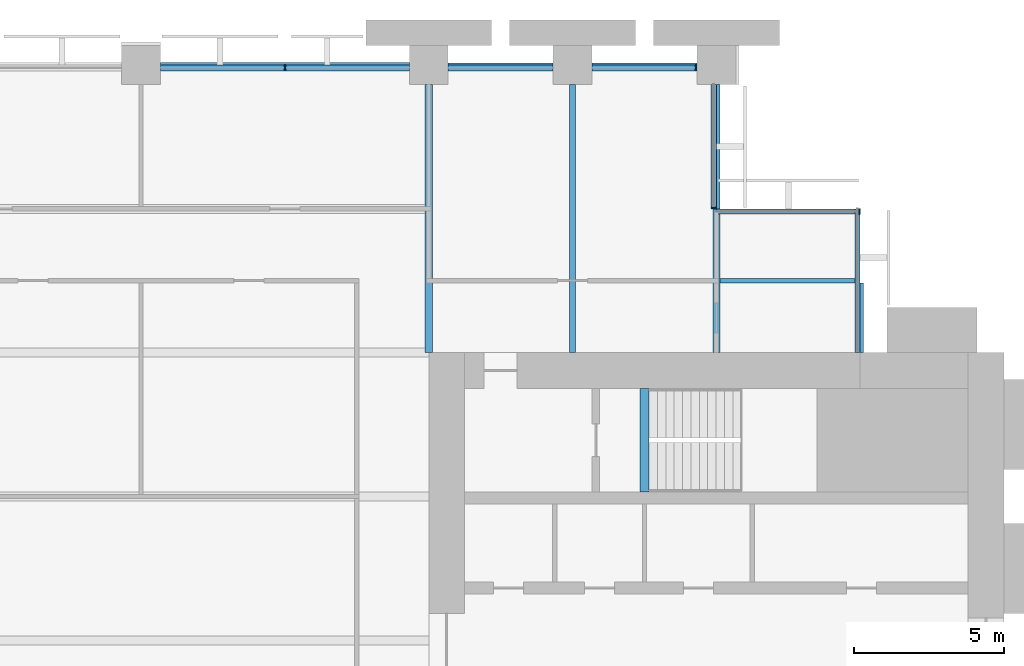
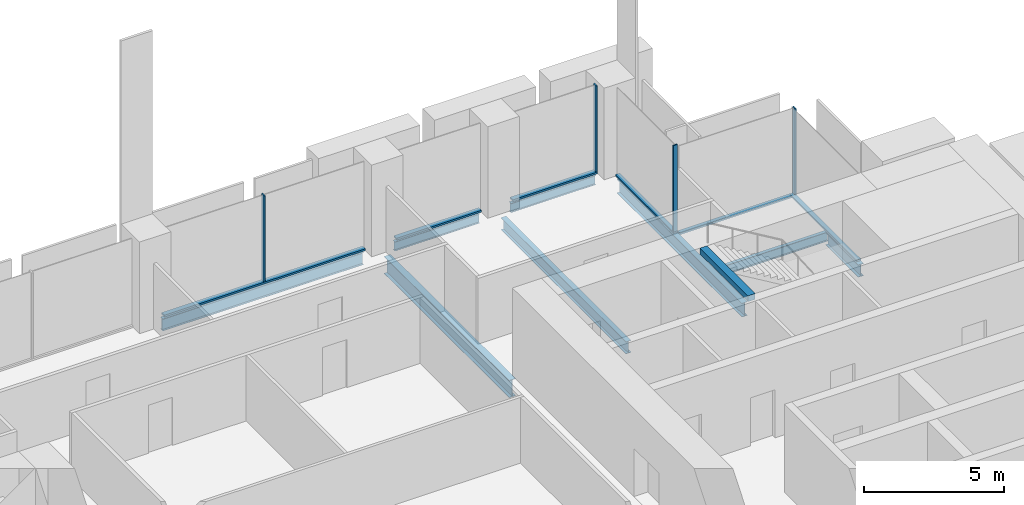
# One storey, part 7 of 14: 10 members, 9 beams, 4 elements without a shape of their own.
"""IFC4 building model written with IfcOpenShell, lengths in metres."""

from ifc_helpers import new_model, si_unit, direction, frame, origin, origin_2d, place, context, subcontext, project, spatial, rectangle, i_section, extrude, material, material_profile, profile_set, type_object, element, aggregate, save


model = new_model("IFC4")

# Units and contexts
model_context = context("Model", 3, precision=1e-05, world=origin(), true_north=direction((0.0, 1.0)))
body_context = subcontext(model_context, "Body", "Model", "MODEL_VIEW")
ifc_project = project(units=[si_unit("LENGTHUNIT", "METRE"), si_unit("AREAUNIT", "SQUARE_METRE"), si_unit("VOLUMEUNIT", "CUBIC_METRE"), si_unit("PLANEANGLEUNIT", "RADIAN"), si_unit("MASSUNIT", "GRAM", prefix="KILO")], contexts=[model_context])

# Site, building, storey
site_placement = place(None, origin())
site = spatial("IfcSite", under=ifc_project, at=site_placement, CompositionType="ELEMENT")
building_placement = place(site_placement, origin())
building = spatial("IfcBuilding", under=site, at=building_placement, Name="Baori Bourse Tower", CompositionType="ELEMENT")
storey_placement = place(building_placement, frame((0.0, 0.0, 51.0)))
storey = spatial("IfcBuildingStorey", under=building, at=storey_placement, Name="L10", CompositionType="ELEMENT", Elevation=51.0)

# Curtain wall, members
ifc_material_1 = material(Name="Pale anodised aluminium", Category="aluminium")
curtain_wall_type_1 = type_object("IfcCurtainWallType", Name="CW1 Curtain wall", PredefinedType="NOTDEFINED", material=ifc_material_1)
curtain_wall_1_placement = place(storey_placement, origin())
curtain_wall_1 = element("IfcCurtainWall", 1, at=curtain_wall_1_placement, inside=storey, type_object=curtain_wall_type_1, Name="Curtain wall CW1 L10 4", PredefinedType="NOTDEFINED")
ifc_material_2 = material(Name="Pale anodised aluminium", Category="aluminium")
ifc_material_profile_1 = material_profile(ifc_material_2, rectangle(XDim=0.199951171875, YDim=0.06005859375, at=origin_2d()), Name="Mullion 60x200")
ifc_profile_set_1 = profile_set([ifc_material_profile_1], Name="Pale anodised aluminium")
member_type_1 = type_object("IfcMemberType", Name="CW1 Curtain wall mullion", PredefinedType="MULLION", material=ifc_profile_set_1)
member_1_placement = place(storey_placement, frame((47.320068359375, 47.89990234375, 0.080078125), z_axis=(0.0, 0.0, 1.0), x_axis=(0.0, -1.0, 0.0)))
member_1 = element("IfcMember", 2, at=member_1_placement, type_object=member_type_1, Name="Curtain wall CW1 mullion", PredefinedType="MULLION", context=body_context, shape_type="SweptSolid", body=[
    extrude(rectangle(XDim=0.199951171875, YDim=0.06005859375, at=origin_2d()), origin(), (0.0, 0.0, 1.0), 3.760009765625),
])
member_2_placement = place(storey_placement, frame((33.60009765625, 47.89990234375, 0.080078125), z_axis=(0.0, 0.0, 1.0), x_axis=(0.0, -1.0, 0.0)))
member_2 = element("IfcMember", 3, at=member_2_placement, type_object=member_type_1, Name="Curtain wall CW1 mullion", PredefinedType="MULLION", context=body_context, shape_type="SweptSolid", body=[
    extrude(rectangle(XDim=0.199951171875, YDim=0.06005859375, at=origin_2d()), origin(), (0.0, 0.0, 1.0), 3.760009765625),
])
ifc_material_3 = material(Name="Pale anodised aluminium", Category="aluminium")
ifc_material_profile_2 = material_profile(ifc_material_3, rectangle(XDim=0.199951171875, YDim=0.080078125, at=origin_2d()), Name="Transom 80x200")
ifc_profile_set_2 = profile_set([ifc_material_profile_2], Name="Pale anodised aluminium")
member_type_2 = type_object("IfcMemberType", Name="CW1 Curtain wall transom", PredefinedType="USERDEFINED", material=ifc_profile_set_2)
member_3_placement = place(storey_placement, frame((47.35009765625, 47.89990234375, 0.0400390625), z_axis=(-1.0, 0.0, 0.0), x_axis=(0.0, -1.0, 0.0)))
member_3 = element("IfcMember", 4, at=member_3_placement, type_object=member_type_2, Name="Curtain wall CW1 sill rail", ObjectType="TRANSOM", PredefinedType="USERDEFINED", context=body_context, shape_type="SweptSolid", body=[
    extrude(rectangle(XDim=0.199951171875, YDim=0.080078125, at=origin_2d()), origin(), (0.0, 0.0, 1.0), 3.5),
])
member_4_placement = place(storey_placement, frame((42.550048828125, 47.89990234375, 0.0400390625), z_axis=(-1.0, 0.0, 0.0), x_axis=(0.0, -1.0, 0.0)))
member_4 = element("IfcMember", 5, at=member_4_placement, type_object=member_type_2, Name="Curtain wall CW1 sill rail", ObjectType="TRANSOM", PredefinedType="USERDEFINED", context=body_context, shape_type="SweptSolid", body=[
    extrude(rectangle(XDim=0.199951171875, YDim=0.080078125, at=origin_2d()), origin(), (0.0, 0.0, 1.0), 3.5),
])
member_5_placement = place(storey_placement, frame((37.75, 47.89990234375, 0.0400390625), z_axis=(-1.0, 0.0, 0.0), x_axis=(0.0, -1.0, 0.0)))
member_5 = element("IfcMember", 6, at=member_5_placement, type_object=member_type_2, Name="Curtain wall CW1 sill rail", ObjectType="TRANSOM", PredefinedType="USERDEFINED", context=body_context, shape_type="SweptSolid", body=[
    extrude(rectangle(XDim=0.199951171875, YDim=0.080078125, at=origin_2d()), origin(), (0.0, 0.0, 1.0), 8.300048828125),
])
aggregate(curtain_wall_1, [member_3, member_1, member_4, member_5, member_2])

# Curtain wall, member
ifc_material_4 = material(Name="Pale anodised aluminium", Category="aluminium")
curtain_wall_type_2 = type_object("IfcCurtainWallType", Name="CW2 Curtain wall", PredefinedType="NOTDEFINED", material=ifc_material_4)
curtain_wall_2_placement = place(storey_placement, origin())
curtain_wall_2 = element("IfcCurtainWall", 7, at=curtain_wall_2_placement, inside=storey, type_object=curtain_wall_type_2, Name="Curtain wall CW2 L10 2", PredefinedType="NOTDEFINED")
ifc_material_5 = material(Name="Pale anodised aluminium", Category="aluminium")
ifc_material_profile_3 = material_profile(ifc_material_5, rectangle(XDim=0.179931640625, YDim=0.054931640625, at=origin_2d()), Name="Mullion 55x180")
ifc_profile_set_3 = profile_set([ifc_material_profile_3], Name="Pale anodised aluminium")
member_type_3 = type_object("IfcMemberType", Name="CW2 Curtain wall mullion", PredefinedType="MULLION", material=ifc_profile_set_3)
member_6_placement = place(storey_placement, frame((52.7724609375, 43.110107421875, 0.070068359375), z_axis=(0.0, 0.0, 1.0), x_axis=(0.0, -1.0, 0.0)))
member_6 = element("IfcMember", 8, at=member_6_placement, type_object=member_type_3, Name="Curtain wall CW2 mullion", PredefinedType="MULLION", context=body_context, shape_type="SweptSolid", body=[
    extrude(rectangle(XDim=0.179931640625, YDim=0.054931640625, at=origin_2d()), origin(), (0.0, 0.0, 1.0), 3.77001953125),
])

curtain_wall_3_placement = place(storey_placement, origin())
curtain_wall_3 = element("IfcCurtainWall", 9, at=curtain_wall_3_placement, inside=storey, type_object=curtain_wall_type_2, Name="Curtain wall CW2 L10 3", PredefinedType="NOTDEFINED")
member_7_placement = place(storey_placement, frame((47.909912109375, 43.2275390625, 0.070068359375), z_axis=(0.0, 0.0, 1.0), x_axis=(-1.0, 0.0, 0.0)))
member_7 = element("IfcMember", 10, at=member_7_placement, type_object=member_type_3, Name="Curtain wall CW2 mullion", PredefinedType="MULLION", context=body_context, shape_type="SweptSolid", body=[
    extrude(rectangle(XDim=0.179931640625, YDim=0.054931640625, at=origin_2d()), origin(), (0.0, 0.0, 1.0), 3.77001953125),
])

curtain_wall_4_placement = place(storey_placement, origin())
curtain_wall_4 = element("IfcCurtainWall", 11, at=curtain_wall_4_placement, inside=storey, type_object=curtain_wall_type_2, Name="Curtain wall CW2 L10 1", PredefinedType="NOTDEFINED")
ifc_material_6 = material(Name="Pale anodised aluminium", Category="aluminium")
ifc_material_profile_4 = material_profile(ifc_material_6, rectangle(XDim=0.179931640625, YDim=0.070068359375, at=origin_2d()), Name="Transom 70x180")
ifc_profile_set_4 = profile_set([ifc_material_profile_4], Name="Pale anodised aluminium")
member_type_4 = type_object("IfcMemberType", Name="CW2 Curtain wall transom", PredefinedType="USERDEFINED", material=ifc_profile_set_4)
member_8_placement = place(storey_placement, frame((52.7099609375, 38.39990234375, 0.034912109375), z_axis=(0.0, 1.0, 0.0), x_axis=(-1.0, 0.0, 0.0)))
member_8 = element("IfcMember", 12, at=member_8_placement, type_object=member_type_4, Name="Curtain wall CW2 sill rail", ObjectType="TRANSOM", PredefinedType="USERDEFINED", context=body_context, shape_type="SweptSolid", body=[
    extrude(rectangle(XDim=0.179931640625, YDim=0.070068359375, at=origin_2d()), origin(), (0.0, 0.0, 1.0), 4.800048828125),
])
aggregate(curtain_wall_4, [member_8])

# Member
member_9_placement = place(storey_placement, frame((52.800048828125, 43.110107421875, 0.034912109375), z_axis=(-1.0, 0.0, 0.0), x_axis=(0.0, -1.0, 0.0)))
member_9 = element("IfcMember", 13, at=member_9_placement, type_object=member_type_4, Name="Curtain wall CW2 sill rail", ObjectType="TRANSOM", PredefinedType="USERDEFINED", context=body_context, shape_type="SweptSolid", body=[
    extrude(rectangle(XDim=0.179931640625, YDim=0.070068359375, at=origin_2d()), origin(), (0.0, 0.0, 1.0), 4.800048828125),
])

aggregate(curtain_wall_2, [member_9, member_6])

member_10_placement = place(storey_placement, frame((47.909912109375, 43.199951171875, 0.034912109375), z_axis=(0.0, 1.0, 0.0), x_axis=(-1.0, 0.0, 0.0)))
member_10 = element("IfcMember", 14, at=member_10_placement, type_object=member_type_4, Name="Curtain wall CW2 sill rail", ObjectType="TRANSOM", PredefinedType="USERDEFINED", context=body_context, shape_type="SweptSolid", body=[
    extrude(rectangle(XDim=0.179931640625, YDim=0.070068359375, at=origin_2d()), origin(), (0.0, 0.0, 1.0), 4.150146484375),
])

aggregate(curtain_wall_3, [member_10, member_7])

# Beams
ifc_material_7 = material(Name="Steel A992 Gr 50", Category="steel")
ifc_material_profile_5 = material_profile(ifc_material_7, i_section(OverallWidth=0.21240234375, OverallDepth=0.54345703125, WebThickness=0.01318359375, FlangeThickness=0.021240234375, at=origin_2d()), Name="W21x83")
ifc_profile_set_5 = profile_set([ifc_material_profile_5], Name="Steel A992 Gr 50")
beam_type_1 = type_object("IfcBeamType", Name="Core bracket W21x83", PredefinedType="BEAM", material=ifc_profile_set_5)
beam_1_placement = place(storey_placement, frame((52.800048828125, 38.39990234375, -0.431884765625), z_axis=(0.0, 1.0, 0.0), x_axis=(-1.0, 0.0, 0.0)))
element("IfcBeam", 15, at=beam_1_placement, inside=storey, type_object=beam_type_1, Name="Core bracket L10", PredefinedType="BEAM", context=body_context, shape_type="SweptSolid", body=[
    extrude(i_section(OverallWidth=0.21240234375, OverallDepth=0.54345703125, WebThickness=0.01318359375, FlangeThickness=0.021240234375, at=origin_2d()), origin(), (0.0, 0.0, 1.0), 2.329833984375),
])
ifc_material_8 = material(Name="Steel A992 Gr 50", Category="steel")
ifc_material_profile_6 = material_profile(ifc_material_8, i_section(OverallWidth=0.140380859375, OverallDepth=0.40380859375, WebThickness=0.007080078125, FlangeThickness=0.01123046875, at=origin_2d()), Name="W16x31")
ifc_profile_set_6 = profile_set([ifc_material_profile_6], Name="Steel A992 Gr 50")
beam_type_2 = type_object("IfcBeamType", Name="Edge beam W16x31", PredefinedType="BEAM", material=ifc_profile_set_6)
for number, where, z_axis, x_axis, name in (
    (16, (39.050048828125, 48.0, -0.36181640625), (1.0, 0.0, 0.0), (0.0, 1.0, 0.0), "Edge beam L10"),
    (17, (43.85009765625, 48.0, -0.36181640625), (1.0, 0.0, 0.0), (0.0, 1.0, 0.0), "Edge beam L10"),
):
    element("IfcBeam", number, at=place(storey_placement, frame(where, z_axis=z_axis, x_axis=x_axis)), inside=storey, type_object=beam_type_2, Name=name, PredefinedType="BEAM", context=body_context, shape_type="SweptSolid", body=[
        extrude(i_section(OverallWidth=0.140380859375, OverallDepth=0.40380859375, WebThickness=0.007080078125, FlangeThickness=0.01123046875, at=origin_2d()), origin(), (0.0, 0.0, 1.0), 3.5),
    ])
ifc_material_9 = material(Name="Steel A992 Gr 50", Category="steel")
ifc_material_profile_7 = material_profile(ifc_material_9, i_section(OverallWidth=0.1650390625, OverallDepth=0.52587890625, WebThickness=0.0087890625, FlangeThickness=0.011474609375, at=origin_2d()), Name="W21x44")
ifc_profile_set_7 = profile_set([ifc_material_profile_7], Name="Steel A992 Gr 50")
beam_type_3 = type_object("IfcBeamType", Name="Edge beam W21x44", PredefinedType="BEAM", material=ifc_profile_set_7)
beam_2_placement = place(storey_placement, frame((29.449951171875, 48.0, -0.4228515625), z_axis=(1.0, 0.0, 0.0), x_axis=(0.0, 1.0, 0.0)))
element("IfcBeam", 18, at=beam_2_placement, inside=storey, type_object=beam_type_3, Name="Edge beam L10", PredefinedType="BEAM", context=body_context, shape_type="SweptSolid", body=[
    extrude(i_section(OverallWidth=0.1650390625, OverallDepth=0.52587890625, WebThickness=0.0087890625, FlangeThickness=0.011474609375, at=origin_2d()), origin(), (0.0, 0.0, 1.0), 8.300048828125),
])
ifc_material_10 = material(Name="Steel A992 Gr 50", Category="steel")
ifc_material_profile_8 = material_profile(ifc_material_10, i_section(OverallWidth=0.209228515625, OverallDepth=0.533447265625, WebThickness=0.01025390625, FlangeThickness=0.015625, at=origin_2d()), Name="W21x62")
ifc_profile_set_8 = profile_set([ifc_material_profile_8], Name="Steel A992 Gr 50")
beam_type_4 = type_object("IfcBeamType", Name="Floor beam W21x62", PredefinedType="BEAM", material=ifc_profile_set_8)
beam_3_placement = place(storey_placement, frame((43.199951171875, 38.39990234375, -0.4267578125), z_axis=(0.0, 1.0, 0.0), x_axis=(-1.0, 0.0, 0.0)))
element("IfcBeam", 19, at=beam_3_placement, inside=storey, type_object=beam_type_4, Name="Floor beam L10", PredefinedType="BEAM", context=body_context, shape_type="SweptSolid", body=[
    extrude(i_section(OverallWidth=0.209228515625, OverallDepth=0.533447265625, WebThickness=0.01025390625, FlangeThickness=0.015625, at=origin_2d()), origin(), (0.0, 0.0, 1.0), 8.9501953125),
])
ifc_material_11 = material(Name="Steel A992 Gr 50", Category="steel")
ifc_material_profile_9 = material_profile(ifc_material_11, i_section(OverallWidth=0.227783203125, OverallDepth=0.60205078125, WebThickness=0.010498046875, FlangeThickness=0.014892578125, at=origin_2d()), Name="W24x68")
ifc_profile_set_9 = profile_set([ifc_material_profile_9], Name="Steel A992 Gr 50")
beam_type_5 = type_object("IfcBeamType", Name="Floor beam W24x68", PredefinedType="BEAM", material=ifc_profile_set_9)
beam_4_placement = place(storey_placement, frame((48.0, 38.39990234375, -0.4609375), z_axis=(0.0, 1.0, 0.0), x_axis=(-1.0, 0.0, 0.0)))
element("IfcBeam", 20, at=beam_4_placement, inside=storey, type_object=beam_type_5, Name="Floor beam L10", PredefinedType="BEAM", context=body_context, shape_type="SweptSolid", body=[
    extrude(i_section(OverallWidth=0.227783203125, OverallDepth=0.60205078125, WebThickness=0.010498046875, FlangeThickness=0.014892578125, at=origin_2d()), origin(), (0.0, 0.0, 1.0), 8.9501953125),
])
ifc_material_12 = material(Name="Steel A992 Gr 50", Category="steel")
ifc_material_profile_10 = material_profile(ifc_material_12, i_section(OverallWidth=0.2666015625, OverallDepth=0.7568359375, WebThickness=0.013916015625, FlangeThickness=0.019287109375, at=origin_2d()), Name="W30x108")
ifc_profile_set_10 = profile_set([ifc_material_profile_10], Name="Steel A992 Gr 50")
beam_type_6 = type_object("IfcBeamType", Name="Girder W30x108", PredefinedType="BEAM", material=ifc_profile_set_10)
beam_5_placement = place(storey_placement, frame((38.39990234375, 38.39990234375, -0.53857421875), z_axis=(0.0, 1.0, 0.0), x_axis=(-1.0, 0.0, 0.0)))
element("IfcBeam", 21, at=beam_5_placement, inside=storey, type_object=beam_type_6, Name="Girder L10", PredefinedType="BEAM", context=body_context, shape_type="SweptSolid", body=[
    extrude(i_section(OverallWidth=0.2666015625, OverallDepth=0.7568359375, WebThickness=0.013916015625, FlangeThickness=0.019287109375, at=origin_2d()), origin(), (0.0, 0.0, 1.0), 8.9501953125),
])
ifc_material_13 = material(Name="Concrete f'c 50 MPa", Category="concrete")
ifc_material_profile_11 = material_profile(ifc_material_13, rectangle(XDim=0.300048828125, YDim=0.25, at=origin_2d()), Name="RC 300x250")
ifc_profile_set_11 = profile_set([ifc_material_profile_11], Name="Concrete f'c 50 MPa")
beam_type_7 = type_object("IfcBeamType", Name="Stair nib beam RC 300x250", PredefinedType="BEAM", material=ifc_profile_set_11)
beam_6_placement = place(storey_placement, frame((45.60009765625, 33.75, 3.715087890625), z_axis=(0.0, 1.0, 0.0), x_axis=(-1.0, 0.0, 0.0)))
element("IfcBeam", 22, at=beam_6_placement, inside=storey, type_object=beam_type_7, Name="Stair EB nib beam L11", PredefinedType="BEAM", context=body_context, shape_type="SweptSolid", body=[
    extrude(rectangle(XDim=0.300048828125, YDim=0.25, at=origin_2d()), origin(), (0.0, 0.0, 1.0), 3.449951171875),
])
ifc_material_14 = material(Name="Steel A992 Gr 50", Category="steel")
ifc_material_profile_12 = material_profile(ifc_material_14, i_section(OverallWidth=0.140380859375, OverallDepth=0.40380859375, WebThickness=0.007080078125, FlangeThickness=0.01123046875, at=origin_2d()), Name="W16x31")
ifc_profile_set_12 = profile_set([ifc_material_profile_12], Name="Steel A992 Gr 50")
beam_type_8 = type_object("IfcBeamType", Name="Trimmer beam W16x31", PredefinedType="BEAM", material=ifc_profile_set_12)
beam_7_placement = place(storey_placement, frame((48.114013671875, 40.800048828125, -0.36181640625), z_axis=(1.0, 0.0, 0.0), x_axis=(0.0, 1.0, 0.0)))
element("IfcBeam", 23, at=beam_7_placement, inside=storey, type_object=beam_type_8, Name="Trimmer beam L10", PredefinedType="BEAM", context=body_context, shape_type="SweptSolid", body=[
    extrude(i_section(OverallWidth=0.140380859375, OverallDepth=0.40380859375, WebThickness=0.007080078125, FlangeThickness=0.01123046875, at=origin_2d()), origin(), (0.0, 0.0, 1.0), 4.68603515625),
])

save(model, "model.ifc")
